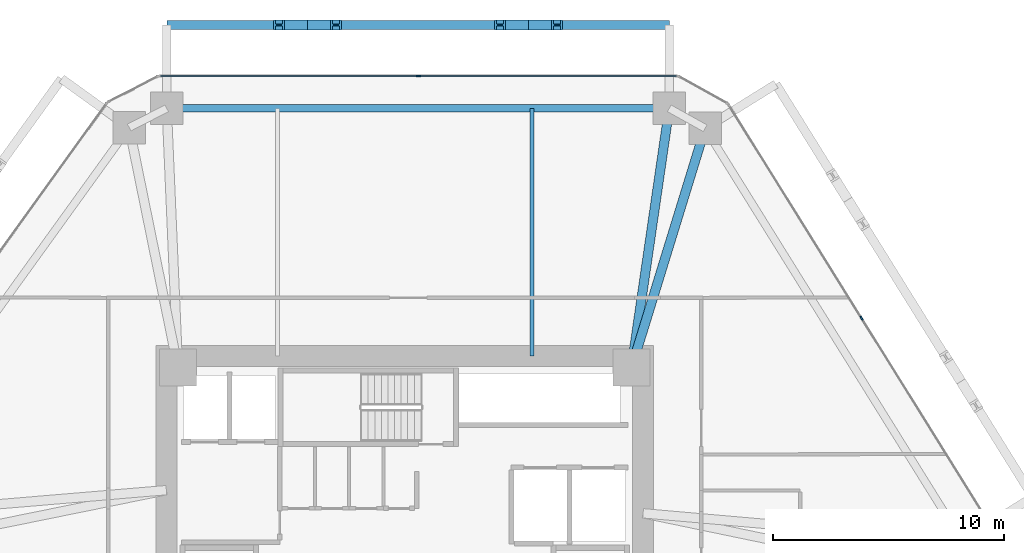
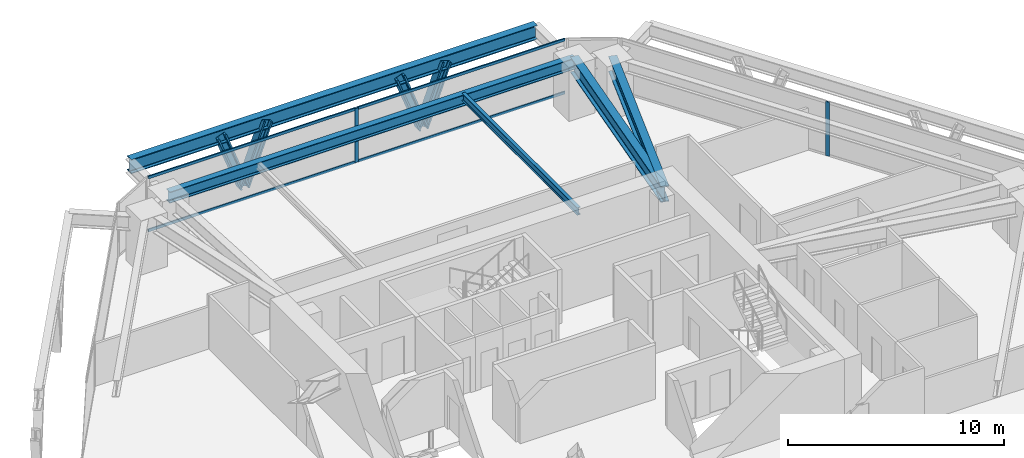
# One storey, part 8 of 14: 10 members, 5 beams, 2 elements without a shape of their own.
"""IFC4 building model written with IfcOpenShell, lengths in metres."""

from ifc_helpers import new_model, si_unit, direction, frame, origin, origin_2d, place, context, subcontext, project, spatial, rectangle, i_section, extrude, source, transform, mapped, material, layer, layer_set, material_profile, profile_set, type_object, type_shapes, element, aggregate, save


model = new_model("IFC4")

# Units and contexts
model_context = context("Model", 3, precision=1e-05, world=origin(), true_north=direction((0.0, 1.0)))
body_context = subcontext(model_context, "Body", "Model", "MODEL_VIEW")
ifc_project = project(units=[si_unit("LENGTHUNIT", "METRE"), si_unit("AREAUNIT", "SQUARE_METRE"), si_unit("VOLUMEUNIT", "CUBIC_METRE"), si_unit("PLANEANGLEUNIT", "RADIAN"), si_unit("MASSUNIT", "GRAM", prefix="KILO")], contexts=[model_context])

# Site, building, storey
site_placement = place(None, origin())
site = spatial("IfcSite", under=ifc_project, at=site_placement, CompositionType="ELEMENT")
building_placement = place(site_placement, origin())
building = spatial("IfcBuilding", under=site, at=building_placement, Name="Durnholm Broadcast Tower", CompositionType="ELEMENT")
storey_placement = place(building_placement, frame((0.0, 0.0, 68.699951171875)))
storey = spatial("IfcBuildingStorey", under=building, at=storey_placement, Name="L17", CompositionType="ELEMENT", Elevation=68.699951171875)

# Beams
ifc_material_1 = material(Name="Steel ASTM A992 Grade 50", Category="steel")
ifc_material_profile_1 = material_profile(ifc_material_1, i_section(OverallWidth=0.3291015625, OverallDepth=0.635009765625, WebThickness=0.017822265625, FlangeThickness=0.031005859375, FilletRadius=0.02783203125, at=origin_2d()), Name="W24X162")
ifc_profile_set_1 = profile_set([ifc_material_profile_1], Name="Steel ASTM A992 Grade 50")
beam_type_1 = type_object("IfcBeamType", Name="STL-SP-W24X162", PredefinedType="SPANDREL", material=ifc_profile_set_1)
shared_shape_1 = source(origin(), body_context, "Body", "SweptSolid", [
    extrude(i_section(OverallWidth=0.3291015625, OverallDepth=0.635009765625, WebThickness=0.017822265625, FlangeThickness=0.031005859375, FilletRadius=0.02783203125, at=origin_2d()), origin(), (0.0, 0.0, 1.0), 21.7138671875),
])
type_shapes(beam_type_1, [shared_shape_1])
beam_1_placement = place(storey_placement, frame((-10.28271484375, 19.0, 2.7275390625), z_axis=(1.0, 0.0, 0.0), x_axis=(0.0, 1.0, 0.0)))
element("IfcBeam", 1, at=beam_1_placement, inside=storey, type_object=beam_type_1, Name="L17 perimeter spandrel girder 05", PredefinedType="SPANDREL", context=body_context, shape_type="MappedRepresentation", body=[
    mapped(shared_shape_1, transform((0.0, 0.0, 0.0), x_axis=(1.0, 0.0, 0.0), y_axis=(0.0, 1.0, 0.0), z_axis=(0.0, 0.0, 1.0), scale=1.0)),
])
ifc_material_profile_2 = material_profile(ifc_material_1, i_section(OverallWidth=0.404052734375, OverallDepth=0.885009765625, WebThickness=0.0244140625, FlangeThickness=0.0439453125, FilletRadius=0.03564453125, at=origin_2d()), Name="W33X291")
ifc_profile_set_2 = profile_set([ifc_material_profile_2], Name="Steel ASTM A992 Grade 50")
beam_type_2 = type_object("IfcBeamType", Name="STL-GR-W33X291", PredefinedType="USERDEFINED", material=ifc_profile_set_2)
shared_shape_2 = source(origin(), body_context, "Body", "SweptSolid", [
    extrude(i_section(OverallWidth=0.404052734375, OverallDepth=0.885009765625, WebThickness=0.0244140625, FlangeThickness=0.0439453125, FilletRadius=0.03564453125, at=origin_2d()), origin(), (0.0, 0.0, 1.0), 11.318115234375),
])
beam_2_placement = place(storey_placement, frame((9.800048828125, 7.800048828125, 2.6025390625), z_axis=(0.144114595679, 0.989561005352, 0.0), x_axis=(-0.989561005352, 0.144114595679, 0.0)))
element("IfcBeam", 2, at=beam_2_placement, inside=storey, type_object=beam_type_2, Name="L17 radial primary floor girder 06", ObjectType="GIRDER", PredefinedType="USERDEFINED", context=body_context, shape_type="MappedRepresentation", body=[
    mapped(shared_shape_2, transform((0.0, 0.0, 0.0), x_axis=(1.0, 0.0, 0.0), y_axis=(0.0, 1.0, 0.0), z_axis=(0.0, 0.0, 1.0), scale=1.0)),
])
shared_shape_3 = source(origin(), body_context, "Body", "SweptSolid", [
    extrude(i_section(OverallWidth=0.404052734375, OverallDepth=0.885009765625, WebThickness=0.0244140625, FlangeThickness=0.0439453125, FilletRadius=0.03564453125, at=origin_2d()), origin(), (0.0, 0.0, 1.0), 10.817138671875),
])
type_shapes(beam_type_2, [shared_shape_2, shared_shape_3])
beam_3_placement = place(storey_placement, frame((9.800048828125, 7.800048828125, 2.6025390625), z_axis=(0.294219068418, 0.955738007918, 0.0), x_axis=(-0.955738007918, 0.294219068418, 0.0)))
element("IfcBeam", 3, at=beam_3_placement, inside=storey, type_object=beam_type_2, Name="L17 radial primary floor girder 07", ObjectType="GIRDER", PredefinedType="USERDEFINED", context=body_context, shape_type="MappedRepresentation", body=[
    mapped(shared_shape_3, transform((0.0, 0.0, 0.0), x_axis=(1.0, 0.0, 0.0), y_axis=(0.0, 1.0, 0.0), z_axis=(0.0, 0.0, 1.0), scale=1.0)),
])
ifc_material_profile_3 = material_profile(ifc_material_1, i_section(OverallWidth=0.180908203125, OverallDepth=0.417236328125, WebThickness=0.010986328125, FlangeThickness=0.018310546875, FilletRadius=0.01904296875, at=origin_2d()), Name="W16X57")
ifc_profile_set_3 = profile_set([ifc_material_profile_3], Name="Steel ASTM A992 Grade 50")
beam_type_3 = type_object("IfcBeamType", Name="STL-BJ-W16X57", PredefinedType="JOIST", material=ifc_profile_set_3)
shared_shape_4 = source(origin(), body_context, "Body", "SweptSolid", [
    extrude(i_section(OverallWidth=0.180908203125, OverallDepth=0.417236328125, WebThickness=0.010986328125, FlangeThickness=0.018310546875, FilletRadius=0.01904296875, at=origin_2d()), origin(), (0.0, 0.0, 1.0), 10.699951171875),
])
type_shapes(beam_type_3, [shared_shape_4])
beam_4_placement = place(storey_placement, frame((5.5, 8.300048828125, 2.83642578125), z_axis=(0.0, 1.0, 0.0), x_axis=(-1.0, 0.0, 0.0)))
element("IfcBeam", 4, at=beam_4_placement, inside=storey, type_object=beam_type_3, Name="L17 secondary floor joist 4.2", PredefinedType="JOIST", context=body_context, shape_type="MappedRepresentation", body=[
    mapped(shared_shape_4, transform((0.0, 0.0, 0.0), x_axis=(1.0, 0.0, 0.0), y_axis=(0.0, 1.0, 0.0), z_axis=(0.0, 0.0, 1.0), scale=1.0)),
])
ifc_material_profile_4 = material_profile(ifc_material_1, i_section(OverallWidth=0.385009765625, OverallDepth=0.802978515625, WebThickness=0.023681640625, FlangeThickness=0.0419921875, FilletRadius=0.032958984375, at=origin_2d()), Name="W30X261")
ifc_profile_set_4 = profile_set([ifc_material_profile_4], Name="Steel ASTM A992 Grade 50")
beam_type_4 = type_object("IfcBeamType", Name="BM-EXO-TIE", PredefinedType="USERDEFINED", material=ifc_profile_set_4)
shared_shape_5 = source(origin(), body_context, "Body", "SweptSolid", [
    extrude(i_section(OverallWidth=0.385009765625, OverallDepth=0.802978515625, WebThickness=0.023681640625, FlangeThickness=0.0419921875, FilletRadius=0.032958984375, at=origin_2d()), origin(), (0.0, 0.0, 1.0), 21.7138671875),
])
type_shapes(beam_type_4, [shared_shape_5])
beam_5_placement = place(storey_placement, frame((11.43115234375, 22.60009765625, 2.30859375), z_axis=(-1.0, 0.0, 0.0), x_axis=(0.0, -1.0, 0.0)))
element("IfcBeam", 5, at=beam_5_placement, inside=storey, type_object=beam_type_4, Name="L17 exoskeleton collector spandrel F4", PredefinedType="SPANDREL", context=body_context, shape_type="MappedRepresentation", body=[
    mapped(shared_shape_5, transform((0.0, 0.0, 0.0), x_axis=(1.0, 0.0, 0.0), y_axis=(0.0, 1.0, 0.0), z_axis=(0.0, 0.0, 1.0), scale=1.0)),
])

# Members
ifc_material_2 = material(Name="Steel ASTM A913 Grade 65", Category="steel")
ifc_material_profile_5 = material_profile(ifc_material_2, i_section(OverallWidth=0.43212890625, OverallDepth=0.497802734375, WebThickness=0.0556640625, FlangeThickness=0.0888671875, FilletRadius=0.030517578125, at=origin_2d()), Name="W14X500")
ifc_profile_set_5 = profile_set([ifc_material_profile_5], Name="Steel ASTM A913 Grade 65")
member_type_1 = type_object("IfcMemberType", Name="STL-DG-W14X500", PredefinedType="BRACE", material=ifc_profile_set_5)
shared_shape_6 = source(origin(), body_context, "Body", "SweptSolid", [
    extrude(i_section(OverallWidth=0.43212890625, OverallDepth=0.497802734375, WebThickness=0.0556640625, FlangeThickness=0.0888671875, FilletRadius=0.030517578125, at=origin_2d()), origin(), (0.0, 0.0, 1.0), 3.523193359375),
])
type_shapes(member_type_1, [shared_shape_6])
for number, where, z_axis, x_axis, name in (
    (6, (5.351318359375, 22.60009765625, -0.991455078125), (0.350219588454, 0.0, 0.936667625075), (0.0, 1.0, 0.0), "L17 stand-off diagrid brace F4.D1.1"),
    (7, (5.351318359375, 22.60009765625, -0.991455078125), (-0.350219588454, 0.0, 0.936667625075), (0.0, -1.0, 0.0), "L17 stand-off diagrid brace F4.D1.2"),
    (8, (-4.202880859375, 22.60009765625, -0.991455078125), (0.350219588454, 0.0, 0.936667625075), (0.0, 1.0, 0.0), "L17 stand-off diagrid brace F4.D2.1"),
    (9, (-4.202880859375, 22.60009765625, -0.991455078125), (-0.350219588454, 0.0, 0.936667625075), (0.0, -1.0, 0.0), "L17 stand-off diagrid brace F4.D2.2"),
):
    element("IfcMember", number, at=place(storey_placement, frame(where, z_axis=z_axis, x_axis=x_axis)), inside=storey, type_object=member_type_1, Name=name, PredefinedType="BRACE", context=body_context, shape_type="MappedRepresentation", body=[
        mapped(shared_shape_6, transform((0.0, 0.0, 0.0), x_axis=(1.0, 0.0, 0.0), y_axis=(0.0, 1.0, 0.0), z_axis=(0.0, 0.0, 1.0), scale=1.0)),
    ])

# Curtain wall, member
ifc_material_3 = material(Name="Aluminium and Solar Control IGU", Category="aluminium")
ifc_layer = layer(ifc_material_3, 0.18994140625)
ifc_layer_set = layer_set([ifc_layer], Name="Aluminium and Solar Control IGU")
curtain_wall_type = type_object("IfcCurtainWallType", Name="CW-SYS-3", PredefinedType="NOTDEFINED", material=ifc_layer_set)
curtain_wall_1_placement = place(storey_placement, origin())
curtain_wall_1 = element("IfcCurtainWall", 10, at=curtain_wall_1_placement, inside=storey, type_object=curtain_wall_type, Name="L17 curtain wall CW-Z12-VIS CW-L17-F04", PredefinedType="NOTDEFINED")
ifc_material_4 = material(Name="Aluminium 6063-T6", Category="aluminium")
ifc_material_profile_6 = material_profile(ifc_material_4, rectangle(XDim=0.070068359375, YDim=0.18994140625, at=origin_2d()), Name="CWM70X190")
ifc_profile_set_6 = profile_set([ifc_material_profile_6], Name="Aluminium 6063-T6")
member_type_2 = type_object("IfcMemberType", Name="CW-SYS-3-MUL", PredefinedType="MULLION", material=ifc_profile_set_6)
shared_shape_7 = source(origin(), body_context, "Body", "SweptSolid", [
    extrude(rectangle(XDim=0.070068359375, YDim=0.18994140625, at=origin_2d()), origin(), (0.0, 0.0, 1.0), 3.06005859375),
])
type_shapes(member_type_2, [shared_shape_7])
member_1_placement = place(storey_placement, frame((0.5869140625, 20.39990234375, 0.0), z_axis=(0.0, 0.0, 1.0), x_axis=(0.0, 1.0, 0.0)))
member_1 = element("IfcMember", 11, at=member_1_placement, type_object=member_type_2, Name="CW-Z12-VIS mullion 2", PredefinedType="MULLION", context=body_context, shape_type="MappedRepresentation", body=[
    mapped(shared_shape_7, transform((0.0, 0.0, 0.0), x_axis=(1.0, 0.0, 0.0), y_axis=(0.0, 1.0, 0.0), z_axis=(0.0, 0.0, 1.0), scale=1.0)),
])

curtain_wall_2_placement = place(storey_placement, origin())
curtain_wall_2 = element("IfcCurtainWall", 12, at=curtain_wall_2_placement, inside=storey, type_object=curtain_wall_type, Name="L17 curtain wall CW-Z12-VIS CW-L17-F06", PredefinedType="NOTDEFINED")
member_2_placement = place(storey_placement, frame((19.741943359375, 9.93212890625, 0.0), z_axis=(0.0, 0.0, 1.0), x_axis=(0.848875785503, 0.528592376777, 0.0)))
member_2 = element("IfcMember", 13, at=member_2_placement, type_object=member_type_2, Name="CW-Z12-VIS mullion 2", PredefinedType="MULLION", context=body_context, shape_type="MappedRepresentation", body=[
    mapped(shared_shape_7, transform((0.0, 0.0, 0.0), x_axis=(1.0, 0.0, 0.0), y_axis=(0.0, 1.0, 0.0), z_axis=(0.0, 0.0, 1.0), scale=1.0)),
])
aggregate(curtain_wall_2, [member_2])

# Member
ifc_material_profile_7 = material_profile(ifc_material_4, rectangle(XDim=0.070068359375, YDim=0.14990234375, at=origin_2d()), Name="CWT70X150")
ifc_profile_set_7 = profile_set([ifc_material_profile_7], Name="Aluminium 6063-T6")
member_type_3 = type_object("IfcMemberType", Name="CW-SYS-3-TRN", PredefinedType="USERDEFINED", material=ifc_profile_set_7)
shared_shape_8 = source(origin(), body_context, "Body", "SweptSolid", [
    extrude(rectangle(XDim=0.070068359375, YDim=0.14990234375, at=origin_2d()), origin(), (0.0, 0.0, 1.0), 11.10205078125),
])
type_shapes(member_type_3, [shared_shape_8])
member_3_placement = place(storey_placement, frame((-10.55029296875, 20.39990234375, 0.03515625), z_axis=(1.0, 0.0, 0.0), x_axis=(0.0, 1.0, 0.0)))
member_3 = element("IfcMember", 14, at=member_3_placement, type_object=member_type_3, Name="CW-Z12-VIS transom 1.1", ObjectType="TRANSOM", PredefinedType="USERDEFINED", context=body_context, shape_type="MappedRepresentation", body=[
    mapped(shared_shape_8, transform((0.0, 0.0, 0.0), x_axis=(1.0, 0.0, 0.0), y_axis=(0.0, 1.0, 0.0), z_axis=(0.0, 0.0, 1.0), scale=1.0)),
])

member_4_placement = place(storey_placement, frame((-10.55029296875, 20.39990234375, 3.025146484375), z_axis=(1.0, 0.0, 0.0), x_axis=(0.0, 1.0, 0.0)))
member_4 = element("IfcMember", 15, at=member_4_placement, type_object=member_type_3, Name="CW-Z12-VIS transom 1.2", ObjectType="TRANSOM", PredefinedType="USERDEFINED", context=body_context, shape_type="MappedRepresentation", body=[
    mapped(shared_shape_8, transform((0.0, 0.0, 0.0), x_axis=(1.0, 0.0, 0.0), y_axis=(0.0, 1.0, 0.0), z_axis=(0.0, 0.0, 1.0), scale=1.0)),
])

member_5_placement = place(storey_placement, frame((0.621826171875, 20.39990234375, 0.03515625), z_axis=(1.0, 0.0, 0.0), x_axis=(0.0, 1.0, 0.0)))
member_5 = element("IfcMember", 16, at=member_5_placement, type_object=member_type_3, Name="CW-Z12-VIS transom 2.1", ObjectType="TRANSOM", PredefinedType="USERDEFINED", context=body_context, shape_type="MappedRepresentation", body=[
    mapped(shared_shape_8, transform((0.0, 0.0, 0.0), x_axis=(1.0, 0.0, 0.0), y_axis=(0.0, 1.0, 0.0), z_axis=(0.0, 0.0, 1.0), scale=1.0)),
])

member_6_placement = place(storey_placement, frame((0.621826171875, 20.39990234375, 3.025146484375), z_axis=(1.0, 0.0, 0.0), x_axis=(0.0, 1.0, 0.0)))
member_6 = element("IfcMember", 17, at=member_6_placement, type_object=member_type_3, Name="CW-Z12-VIS transom 2.2", ObjectType="TRANSOM", PredefinedType="USERDEFINED", context=body_context, shape_type="MappedRepresentation", body=[
    mapped(shared_shape_8, transform((0.0, 0.0, 0.0), x_axis=(1.0, 0.0, 0.0), y_axis=(0.0, 1.0, 0.0), z_axis=(0.0, 0.0, 1.0), scale=1.0)),
])

aggregate(curtain_wall_1, [member_1, member_3, member_4, member_5, member_6])

save(model, "model.ifc")
